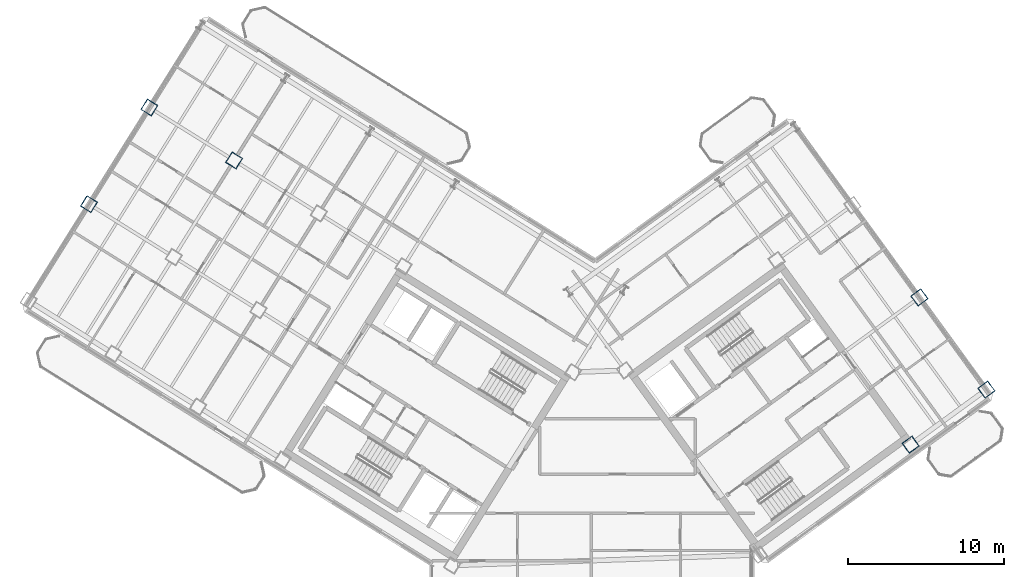
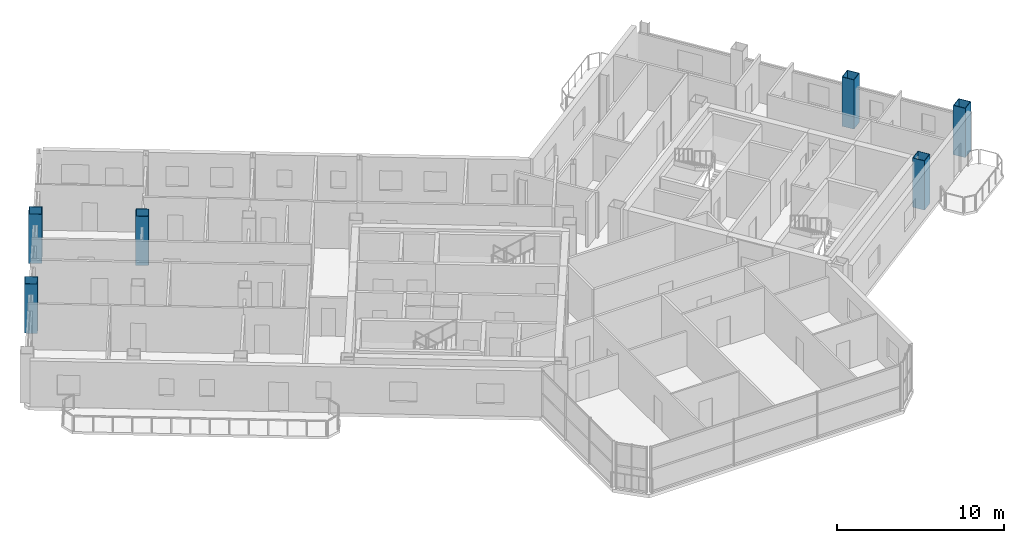
# One storey, part 2 of 21: 6 columns.
"""IFC4 building model written with IfcOpenShell, lengths in metres."""

from ifc_helpers import new_model, si_unit, direction, frame, origin, origin_2d, place, context, subcontext, project, spatial, hollow_rectangle, extrude, source, transform, mapped, material, material_profile, profile_set, type_object, element, save


model = new_model("IFC4")

# Units and contexts
model_context = context("Model", 3, precision=1e-05, world=origin(), true_north=direction((0.0, 1.0)))
body_context = subcontext(model_context, "Body", "Model", "MODEL_VIEW")
ifc_project = project(units=[si_unit("LENGTHUNIT", "METRE"), si_unit("AREAUNIT", "SQUARE_METRE"), si_unit("VOLUMEUNIT", "CUBIC_METRE"), si_unit("PLANEANGLEUNIT", "RADIAN"), si_unit("MASSUNIT", "GRAM", prefix="KILO")], contexts=[model_context])

# Site, building, storey
site_placement = place(None, origin())
site = spatial("IfcSite", under=ifc_project, at=site_placement, CompositionType="ELEMENT")
building_placement = place(site_placement, origin())
building = spatial("IfcBuilding", under=site, at=building_placement, Name="Tlacorven Tower", CompositionType="ELEMENT")
storey_placement = place(building_placement, frame((0.0, 0.0, 222.0)))
storey = spatial("IfcBuildingStorey", under=building, at=storey_placement, Name="L56", CompositionType="ELEMENT", Elevation=222.0)

# Columns
ifc_material = material(Name="Steel S460M", Category="steel")
ifc_material_profile = material_profile(ifc_material, hollow_rectangle(XDim=0.800048828125, YDim=0.800048828125, WallThickness=0.031982421875, at=origin_2d()), Name="BOX 800X800X32")
ifc_profile_set = profile_set([ifc_material_profile], Name="Steel S460M")
column_type = type_object("IfcColumnType", Name="COL-TWR-S3", PredefinedType="COLUMN", material=ifc_profile_set)
shared_shape = source(origin(), body_context, "Body", "SweptSolid", [
    extrude(hollow_rectangle(XDim=0.800048828125, YDim=0.800048828125, WallThickness=0.031982421875, at=origin_2d()), origin(), (0.0, 0.0, 1.0), 3.60009765625),
])
for number, where, z_axis, x_axis, name in (
    (1, (19.072998046875, 38.034423828125, 0.0), (0.0, 0.0, 1.0), (-0.848048096156, 0.529919264233, 0.0), "L56 column COL-L56-W5-2"),
    (2, (13.6455078125, 41.42578125, 0.0), (0.0, 0.0, 1.0), (-0.848048096156, 0.529919264233, 0.0), "L56 column COL-L56-W6-2"),
    (3, (9.777099609375, 35.235107421875, 0.0), (0.0, 0.0, 1.0), (-0.848048096156, 0.529919264233, 0.0), "L56 column COL-L56-W6-3"),
    (4, (62.41357421875, 19.826904296875, 0.0), (0.0, 0.0, 1.0), (0.809016994375, 0.587785252292, 0.0), "L56 column COL-L56-E3-1"),
    (5, (67.267822265625, 23.353515625, 0.0), (0.0, 0.0, 1.0), (0.809016994375, 0.587785252292, 0.0), "L56 column COL-L56-E4-1"),
    (6, (62.976806640625, 29.25927734375, 0.0), (0.0, 0.0, 1.0), (0.809016994375, 0.587785252292, 0.0), "L56 column COL-L56-E4-2"),
):
    element("IfcColumn", number, at=place(storey_placement, frame(where, z_axis=z_axis, x_axis=x_axis)), inside=storey, type_object=column_type, Name=name, PredefinedType="COLUMN", context=body_context, shape_type="MappedRepresentation", body=[
        mapped(shared_shape, transform((0.0, 0.0, 0.0), scale=1.0)),
    ])

save(model, "model.ifc")
